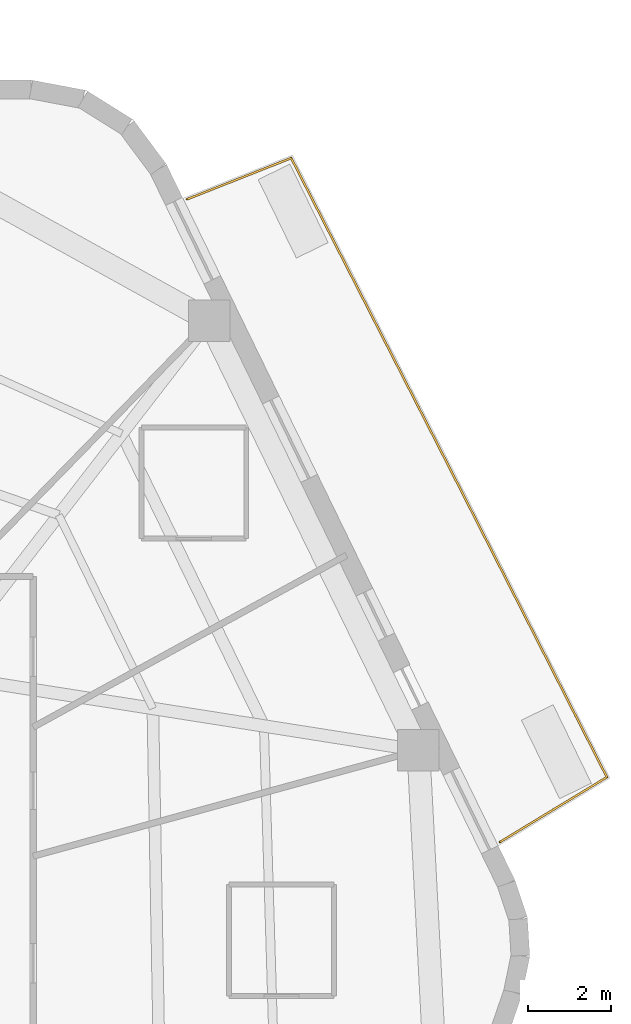
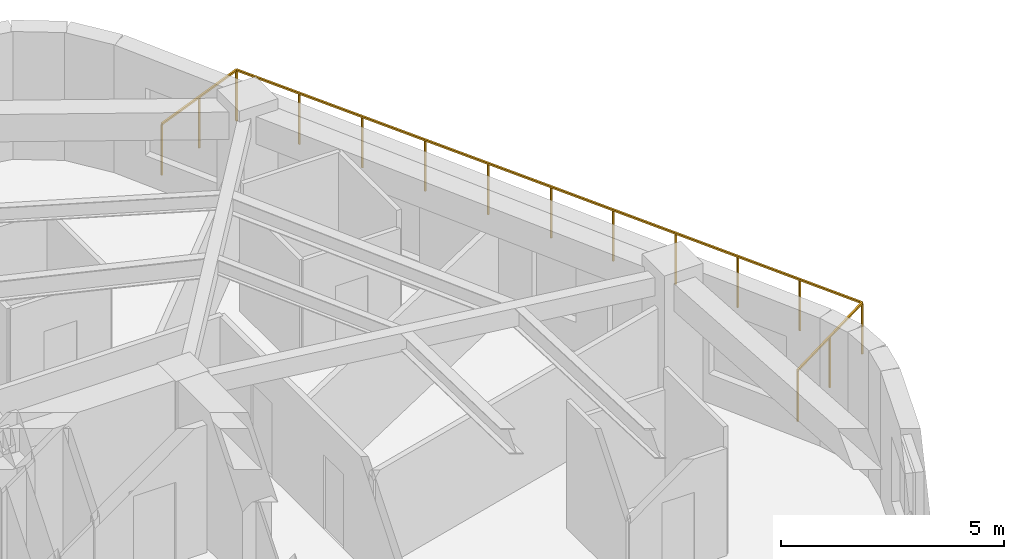
# One storey, part 10 of 10: 1 railing.
"""IFC4 building model written with IfcOpenShell, lengths in metres."""

from ifc_helpers import new_model, si_unit, direction, frame, origin, origin_2d, place, context, subcontext, project, spatial, rectangle, extrude, material, layer, layer_set, type_object, element, save


model = new_model("IFC4")

# Units and contexts
model_context = context("Model", 3, precision=1e-05, world=origin(), true_north=direction((0.0, 1.0)))
body_context = subcontext(model_context, "Body", "Model", "MODEL_VIEW")
ifc_project = project(units=[si_unit("LENGTHUNIT", "METRE"), si_unit("AREAUNIT", "SQUARE_METRE"), si_unit("VOLUMEUNIT", "CUBIC_METRE"), si_unit("PLANEANGLEUNIT", "RADIAN"), si_unit("MASSUNIT", "GRAM", prefix="KILO")], contexts=[model_context])

# Site, building, storey
site_placement = place(None, origin())
site = spatial("IfcSite", under=ifc_project, at=site_placement, CompositionType="ELEMENT")
building_placement = place(site_placement, origin())
building = spatial("IfcBuilding", under=site, at=building_placement, Name="Kilnhurst Terrace Hotel", CompositionType="ELEMENT")
storey_placement = place(building_placement, frame((0.0, 0.0, 248.300048828125)))
storey = spatial("IfcBuildingStorey", under=building, at=storey_placement, Name="L62", CompositionType="ELEMENT", Elevation=248.300048828125)

# Railing
ifc_material = material(Name="Laminated SentryGlas and Stainless Steel AISI 316L Balustrade", Category="steel")
ifc_layer = layer(ifc_material, 0.070068359375, Name="Laminated SentryGlas and Stainless Steel AISI 316L Balustrade")
ifc_layer_set = layer_set([ifc_layer], Name="Laminated SentryGlas and Stainless Steel AISI 316L Balustrade")
railing_type = type_object("IfcRailingType", Name="RLG-BAL-1420", PredefinedType="BALUSTRADE", material=ifc_layer_set)
railing_placement = place(storey_placement, frame((15.0546875, 18.933349609375, 0.0)))
element("IfcRailing", 1, at=railing_placement, inside=storey, type_object=railing_type, Name="L62 Exterior Terrace Guardrail BAL-L1A.1", PredefinedType="BALUSTRADE", context=body_context, shape_type="SweptSolid", body=[
    extrude(rectangle(XDim=0.048095703125, YDim=0.048095703125, at=origin_2d()), frame((0.0, 0.0, 1.39599609375), z_axis=(0.929913162101, 0.367779160574, 0.0), x_axis=(-0.367779160574, 0.929913162101, 0.0)), (0.0, 0.0, 1.0), 2.694580078125),
    extrude(rectangle(XDim=0.048095703125, YDim=0.048095703125, at=origin_2d()), frame((2.505615234375, 0.990966796875, 1.39599609375), z_axis=(0.455129479154, -0.890425267614, 0.0), x_axis=(0.890425267614, 0.455129479154, 0.0)), (0.0, 0.0, 1.0), 8.4072265625),
    extrude(rectangle(XDim=0.048095703125, YDim=0.048095703125, at=origin_2d()), frame((6.33203125, -6.4951171875, 1.39599609375), z_axis=(0.45338853952, -0.891312982196, 0.0), x_axis=(0.891312982196, 0.45338853952, 0.0)), (0.0, 0.0, 1.0), 8.320068359375),
    extrude(rectangle(XDim=0.048095703125, YDim=0.048095703125, at=origin_2d()), frame((10.104248046875, -13.910888671875, 1.39599609375), z_axis=(-0.854990626614, -0.518643450168, 0.0), x_axis=(0.518643450168, -0.854990626614, 0.0)), (0.0, 0.0, 1.0), 3.008056640625),
    extrude(rectangle(XDim=0.0419921875, YDim=0.0419921875, at=origin_2d()), origin(), (0.0, 0.0, 1.0), 1.371826171875),
    extrude(rectangle(XDim=0.0419921875, YDim=0.0419921875, at=origin_2d()), frame((1.2529296875, 0.49560546875, 0.0)), (0.0, 0.0, 1.0), 1.371826171875),
    extrude(rectangle(XDim=0.0419921875, YDim=0.0419921875, at=origin_2d()), frame((2.505615234375, 0.990966796875, 0.0)), (0.0, 0.0, 1.0), 1.371826171875),
    extrude(rectangle(XDim=0.0419921875, YDim=0.0419921875, at=origin_2d()), frame((3.27099609375, -0.50634765625, 0.0)), (0.0, 0.0, 1.0), 1.371826171875),
    extrude(rectangle(XDim=0.0419921875, YDim=0.0419921875, at=origin_2d()), frame((4.0361328125, -2.00341796875, 0.0)), (0.0, 0.0, 1.0), 1.371826171875),
    extrude(rectangle(XDim=0.0419921875, YDim=0.0419921875, at=origin_2d()), frame((4.801513671875, -3.500732421875, 0.0)), (0.0, 0.0, 1.0), 1.371826171875),
    extrude(rectangle(XDim=0.0419921875, YDim=0.0419921875, at=origin_2d()), frame((5.566650390625, -4.997802734375, 0.0)), (0.0, 0.0, 1.0), 1.371826171875),
    extrude(rectangle(XDim=0.0419921875, YDim=0.0419921875, at=origin_2d()), frame((6.33203125, -6.4951171875, 0.0)), (0.0, 0.0, 1.0), 1.371826171875),
    extrude(rectangle(XDim=0.0419921875, YDim=0.0419921875, at=origin_2d()), frame((7.08642578125, -7.978271484375, 0.0)), (0.0, 0.0, 1.0), 1.371826171875),
    extrude(rectangle(XDim=0.0419921875, YDim=0.0419921875, at=origin_2d()), frame((7.8408203125, -9.46142578125, 0.0)), (0.0, 0.0, 1.0), 1.371826171875),
    extrude(rectangle(XDim=0.0419921875, YDim=0.0419921875, at=origin_2d()), frame((8.595458984375, -10.944580078125, 0.0)), (0.0, 0.0, 1.0), 1.371826171875),
    extrude(rectangle(XDim=0.0419921875, YDim=0.0419921875, at=origin_2d()), frame((9.349853515625, -12.427734375, 0.0)), (0.0, 0.0, 1.0), 1.371826171875),
    extrude(rectangle(XDim=0.0419921875, YDim=0.0419921875, at=origin_2d()), frame((10.104248046875, -13.910888671875, 0.0)), (0.0, 0.0, 1.0), 1.371826171875),
    extrude(rectangle(XDim=0.0419921875, YDim=0.0419921875, at=origin_2d()), frame((8.818359375, -14.69091796875, 0.0)), (0.0, 0.0, 1.0), 1.371826171875),
    extrude(rectangle(XDim=0.0419921875, YDim=0.0419921875, at=origin_2d()), frame((7.532470703125, -15.470947265625, 0.0)), (0.0, 0.0, 1.0), 1.371826171875),
])

save(model, "model.ifc")
